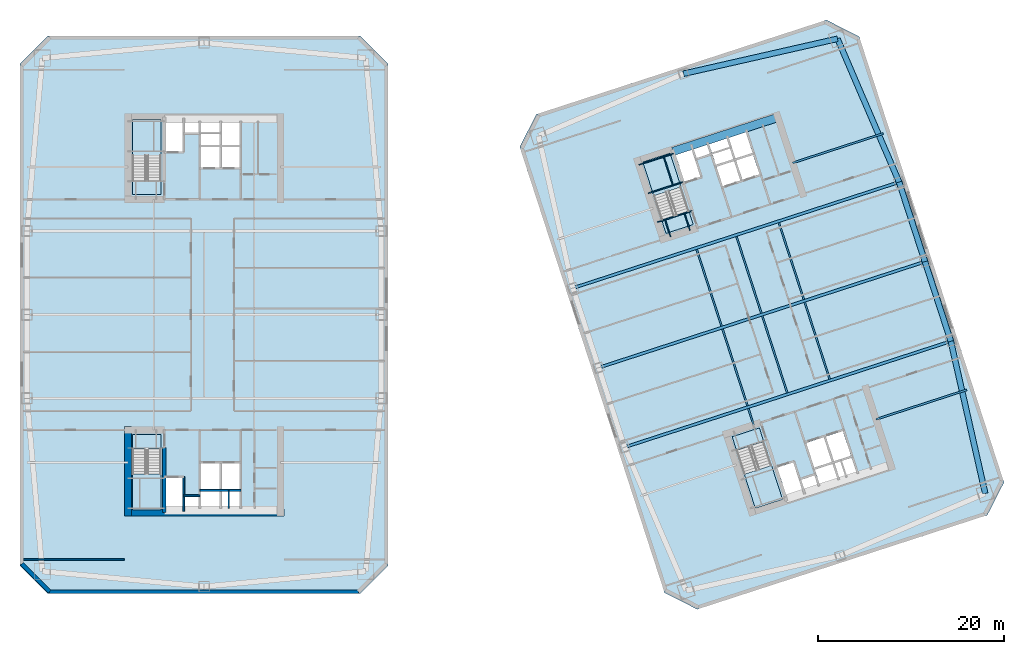
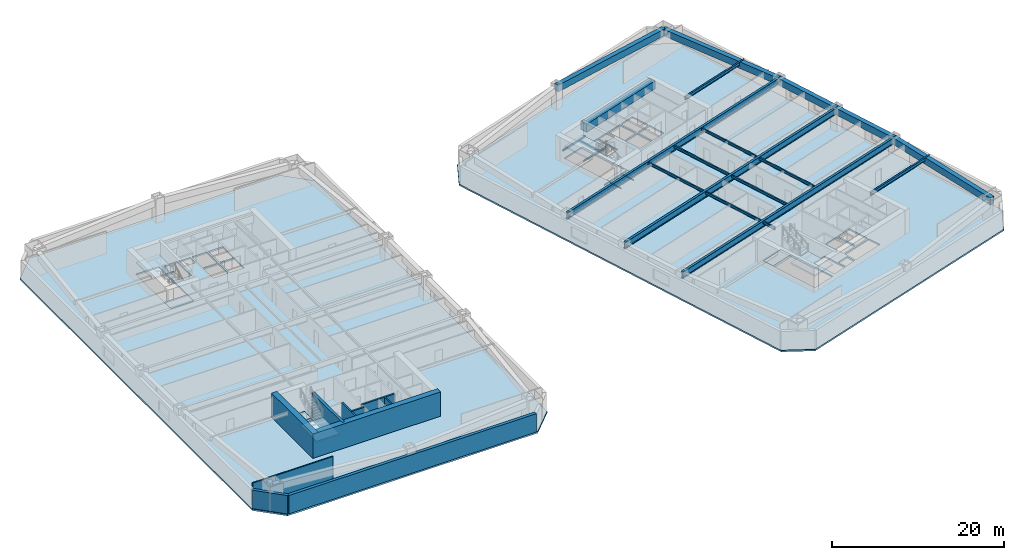
# One storey, part 2 of 11: 24 beams, 10 slabs, 10 walls, 4 elements without a shape of their own.
"""IFC4 building model written with IfcOpenShell, lengths in metres."""

import ifcopenshell
import ifcopenshell.guid

model = None  # the IFC model being written
_history = None  # IfcOwnerHistory: only IFC2X3 demands one
_inside = {}  # id of a spatial element -> (the spatial element, [elements in it])
_under = {}  # id of a project, library or spatial element -> (it, [spatial elements below it])
_declared = {}  # id of a project -> (the project, [libraries it declares])
_typed = {}  # id of a type object -> (the type object, [elements of that type])
_made_of = {}  # id of a material, layer set ... -> (it, [elements and type objects made of it])


def new_model(schema):
    """Start an empty IFC model of exactly this schema.

    Asked for "IFC4X3", IfcOpenShell would pick the latest addendum, in which some entities
    have other attributes; the version numbers below select the first issue.
    IFC2X3 requires an IfcOwnerHistory on every rooted entity: one is made here for all.
    """
    global model, _history
    if schema == "IFC4X3":
        model = ifcopenshell.file(schema_version=(4, 3, 0, 0))
    else:
        model = ifcopenshell.file(schema=schema)
    _inside.clear()
    _under.clear()
    _declared.clear()
    _typed.clear()
    _made_of.clear()
    _history = None
    if model.schema == "IFC2X3":
        org = make("IfcOrganization", Name="unknown")
        user = make(
            "IfcPersonAndOrganization",
            ThePerson=make("IfcPerson", FamilyName="unknown"),
            TheOrganization=org,
        )
        app = make(
            "IfcApplication",
            ApplicationDeveloper=org,
            Version="unknown",
            ApplicationFullName="unknown",
            ApplicationIdentifier="unknown",
        )
        _history = make(
            "IfcOwnerHistory",
            OwningUser=user,
            OwningApplication=app,
            ChangeAction="ADDED",
            CreationDate=0,
        )
    return model


def make(cls, **values):
    """One entity of the class cls with the attributes given. An attribute that is None is left unset."""
    return model.create_entity(
        cls, **{name: value for name, value in values.items() if value is not None}
    )


def rooted(cls, **values):
    """An entity with a GlobalId (a new one), such as an element, a storey or a relation."""
    return make(cls, GlobalId=ifcopenshell.guid.new(), OwnerHistory=_history, **values)


def si_unit(unit_type, name, prefix=None):
    """IfcSIUnit, for example si_unit("LENGTHUNIT", "METRE", prefix="MILLI")."""
    return make("IfcSIUnit", UnitType=unit_type, Prefix=prefix, Name=name)


def assignment(units):
    """IfcUnitAssignment: the units of a project."""
    return None if units is None else make("IfcUnitAssignment", Units=units)


def point(xyz):
    """IfcCartesianPoint."""
    return None if xyz is None else make("IfcCartesianPoint", Coordinates=xyz)


def direction(xyz):
    """IfcDirection."""
    return None if xyz is None else make("IfcDirection", DirectionRatios=xyz)


def frame(location, z_axis=None, x_axis=None):
    """IfcAxis2Placement3D, a coordinate frame: its origin and axes. An axis left out is left unset."""
    return make(
        "IfcAxis2Placement3D",
        Location=point(location),
        Axis=direction(z_axis),
        RefDirection=direction(x_axis),
    )


def frame_2d(location, x_axis=None):
    """IfcAxis2Placement2D, a coordinate frame in the plane: its origin and x axis."""
    return make(
        "IfcAxis2Placement2D", Location=point(location), RefDirection=direction(x_axis)
    )


def origin():
    """The frame at (0, 0, 0) with its axes left unset."""
    return frame((0.0, 0.0, 0.0))


def origin_2d():
    """The frame at (0, 0) in the plane with its x axis left unset."""
    return frame_2d((0.0, 0.0))


def place(relative_to, where):
    """IfcLocalPlacement: puts the frame where relative to a parent placement (None: the world)."""
    return make(
        "IfcLocalPlacement", PlacementRelTo=relative_to, RelativePlacement=where
    )


def context(
    kind, dimensions, precision=None, world=None, true_north=None, identifier=None
):
    """IfcGeometricRepresentationContext, for example the 3D "Model" context."""
    return make(
        "IfcGeometricRepresentationContext",
        ContextIdentifier=identifier,
        ContextType=kind,
        CoordinateSpaceDimension=dimensions,
        Precision=precision,
        WorldCoordinateSystem=world,
        TrueNorth=true_north,
    )


def subcontext(parent, identifier, kind, view, scale=None):
    """IfcGeometricRepresentationSubContext, for example "Body" below "Model"."""
    return make(
        "IfcGeometricRepresentationSubContext",
        ContextIdentifier=identifier,
        ContextType=kind,
        ParentContext=parent,
        TargetScale=scale,
        TargetView=view,
    )


def project(units=None, contexts=None):
    """IfcProject with its units and contexts."""
    return rooted(
        "IfcProject",
        Name="project",
        RepresentationContexts=contexts,
        UnitsInContext=assignment(units),
    )


def spatial(cls, under=None, at=None, **own):
    """A site, building, storey or space (cls), placed at a placement, below another one or the project."""
    s = rooted(cls, ObjectPlacement=at, **own)
    if under is not None:
        _under.setdefault(under.id(), (under, []))[1].append(s)
    return s


def polyline(points):
    """IfcPolyline through the points."""
    return make("IfcPolyline", Points=[point(p) for p in points])


def profile(cls, at=None, kind="AREA", **sizes):
    """A parametric profile (cls). Its sizes go by their IFC names, for example OverallWidth=200.0."""
    return make(cls, ProfileType=kind, Position=at, **sizes)


def rectangle(**sizes):
    """IfcRectangleProfileDef."""
    return profile("IfcRectangleProfileDef", **sizes)


def i_section(**sizes):
    """IfcIShapeProfileDef."""
    return profile("IfcIShapeProfileDef", **sizes)


def outline(outer, holes=None, kind="AREA"):
    """IfcArbitraryClosedProfileDef: a profile drawn as a closed curve; with holes, ...WithVoids."""
    if holes is None:
        return make("IfcArbitraryClosedProfileDef", ProfileType=kind, OuterCurve=outer)
    return make(
        "IfcArbitraryProfileDefWithVoids",
        ProfileType=kind,
        OuterCurve=outer,
        InnerCurves=holes,
    )


def extrude(swept, where, along, depth):
    """IfcExtrudedAreaSolid: the profile swept, set in the frame where, extruded along a direction by depth."""
    return make(
        "IfcExtrudedAreaSolid",
        SweptArea=swept,
        Position=where,
        ExtrudedDirection=direction(along),
        Depth=depth,
    )


def shape(context_of_items, identifier, shape_type, items):
    """IfcShapeRepresentation: the items that make up one representation, for example the "Body"."""
    return make(
        "IfcShapeRepresentation",
        ContextOfItems=context_of_items,
        RepresentationIdentifier=identifier,
        RepresentationType=shape_type,
        Items=items,
    )


def material(Name=None, Category=None):
    """IfcMaterial."""
    return make("IfcMaterial", Name=Name, Category=Category)


def layer(
    of_material, thickness, ventilated=None, Name=None, Category=None, Priority=None
):
    """IfcMaterialLayer: one layer of a wall or slab, of a material (None: an air gap)."""
    return make(
        "IfcMaterialLayer",
        Material=of_material,
        LayerThickness=thickness,
        IsVentilated=ventilated,
        Name=Name,
        Category=Category,
        Priority=Priority,
    )


def layer_set(layers, Name=None):
    """IfcMaterialLayerSet."""
    return make("IfcMaterialLayerSet", MaterialLayers=layers, LayerSetName=Name)


def material_profile(
    of_material, cross_section, Name=None, Category=None, Priority=None
):
    """IfcMaterialProfile: a cross section and its material."""
    return make(
        "IfcMaterialProfile",
        Name=Name,
        Material=of_material,
        Profile=cross_section,
        Priority=Priority,
        Category=Category,
    )


def profile_set(profiles, Name=None, composite=None):
    """IfcMaterialProfileSet."""
    return make(
        "IfcMaterialProfileSet",
        Name=Name,
        MaterialProfiles=profiles,
        CompositeProfile=composite,
    )


def made_of(thing, what):
    """Note that an element or type object is made of a material, layer set ...; save() writes the relation."""
    if what is not None:
        _made_of.setdefault(what.id(), (what, []))[1].append(thing)
    return thing


def type_object(cls, material=None, **own):
    """A type object (cls), such as IfcWallType, which elements share."""
    return made_of(rooted(cls, **own), material)


def element(
    cls,
    number,
    at=None,
    inside=None,
    cuts=None,
    type_object=None,
    material=None,
    context=None,
    identifier="Body",
    shape_type=None,
    held_by="IfcProductDefinitionShape",
    body=None,
    shapes=None,
    **own,
):
    """One element of the class cls, such as IfcWall. Its Tag is "e" and its number.

    at: its placement. inside: the storey or other place that contains it. cuts: it is an
    opening in that element (IfcRelVoidsElement). A single representation is given by context,
    identifier, shape_type and body (its items); several are given by shapes. held_by: the class
    of the entity that holds the representations. save() writes the other relations.
    """
    e = rooted(cls, Tag="e%d" % number, ObjectPlacement=at, **own)
    if body is not None:
        shapes = [shape(context, identifier, shape_type, body)]
    if shapes is not None:
        e.Representation = make(held_by, Representations=shapes)
    if inside is not None:
        _inside.setdefault(inside.id(), (inside, []))[1].append(e)
    if cuts is not None:
        rooted(
            "IfcRelVoidsElement", RelatingBuildingElement=cuts, RelatedOpeningElement=e
        )
    if type_object is not None:
        _typed.setdefault(type_object.id(), (type_object, []))[1].append(e)
    return made_of(e, material)


def aggregate(whole, parts):
    """IfcRelAggregates: a whole, such as a stair, and the parts it consists of."""
    return rooted("IfcRelAggregates", RelatingObject=whole, RelatedObjects=parts)


def save(model, path):
    """Write the relations noted so far, then the file.

    IfcRelAggregates (storeys below a building ...), IfcRelContainedInSpatialStructure (elements
    in a storey), IfcRelDefinesByType, IfcRelAssociatesMaterial and IfcRelDeclares: one each for
    every whole, place, type object, material and project.
    """
    for whole, parts in _under.values():
        aggregate(whole, parts)
    for where, things in _inside.values():
        rooted(
            "IfcRelContainedInSpatialStructure",
            RelatedElements=things,
            RelatingStructure=where,
        )
    for kind, things in _typed.values():
        rooted("IfcRelDefinesByType", RelatedObjects=things, RelatingType=kind)
    for what, things in _made_of.values():
        rooted("IfcRelAssociatesMaterial", RelatedObjects=things, RelatingMaterial=what)
    for by, libraries in _declared.values():
        rooted("IfcRelDeclares", RelatingContext=by, RelatedDefinitions=libraries)
    model.write(path)


model = new_model("IFC4")

# Units and contexts
model_context = context("Model", 3, precision=1e-05, world=origin(), true_north=direction((0.0, 1.0)))
body_context = subcontext(model_context, "Body", "Model", "MODEL_VIEW")
ifc_project = project(units=[si_unit("LENGTHUNIT", "METRE"), si_unit("AREAUNIT", "SQUARE_METRE"), si_unit("VOLUMEUNIT", "CUBIC_METRE"), si_unit("PLANEANGLEUNIT", "RADIAN"), si_unit("MASSUNIT", "GRAM", prefix="KILO")], contexts=[model_context])

# Site, building, storey
site_placement = place(None, origin())
site = spatial("IfcSite", under=ifc_project, at=site_placement, CompositionType="ELEMENT")
building_placement = place(site_placement, origin())
building = spatial("IfcBuilding", under=site, at=building_placement, Name="Qiaolan Cultural Towers", CompositionType="ELEMENT")
storey_placement = place(building_placement, frame((0.0, 0.0, 64.39990234375)))
storey = spatial("IfcBuildingStorey", under=building, at=storey_placement, Name="L15", CompositionType="ELEMENT", Elevation=64.39990234375)

# Beams
ifc_material_1 = material(Name="Steel Q355B", Category="steel")
ifc_material_profile_1 = material_profile(ifc_material_1, i_section(OverallWidth=0.300048828125, OverallDepth=0.89990234375, WebThickness=0.01611328125, FlangeThickness=0.028076171875, at=origin_2d()), Name="HN900x300x16x28")
ifc_profile_set_1 = profile_set([ifc_material_profile_1], Name="Steel Q355B")
beam_type_1 = type_object("IfcBeamType", Name="BM-HN900x300x16x28", PredefinedType="BEAM", material=ifc_profile_set_1)
beam_1_placement = place(storey_placement, frame((75.234130859375, 19.739013671875, 2.739990234375), z_axis=(0.951055702987, 0.309019497469, 0.0), x_axis=(-0.309019497469, 0.951055702987, 0.0)))
element("IfcBeam", 1, at=beam_1_placement, inside=storey, type_object=beam_type_1, Name="L15 T2 Primary Transverse Girder V1", PredefinedType="BEAM", context=body_context, shape_type="SweptSolid", body=[
    extrude(i_section(OverallWidth=0.300048828125, OverallDepth=0.89990234375, WebThickness=0.01611328125, FlangeThickness=0.028076171875, at=origin_2d()), origin(), (0.0, 0.0, 1.0), 36.900146484375),
])
beam_2_placement = place(storey_placement, frame((72.453125, 28.298583984375, 2.739990234375), z_axis=(0.951055071173, 0.309021441968, 0.0), x_axis=(-0.309021441968, 0.951055071173, 0.0)))
element("IfcBeam", 2, at=beam_2_placement, inside=storey, type_object=beam_type_1, Name="L15 T2 Primary Transverse Girder V2", PredefinedType="BEAM", context=body_context, shape_type="SweptSolid", body=[
    extrude(i_section(OverallWidth=0.300048828125, OverallDepth=0.89990234375, WebThickness=0.01611328125, FlangeThickness=0.028076171875, at=origin_2d()), origin(), (0.0, 0.0, 1.0), 36.89990234375),
])
beam_3_placement = place(storey_placement, frame((69.671875, 36.858154296875, 2.739990234375), z_axis=(0.951055702987, 0.309019497469, 0.0), x_axis=(-0.309019497469, 0.951055702987, 0.0)))
element("IfcBeam", 3, at=beam_3_placement, inside=storey, type_object=beam_type_1, Name="L15 T2 Primary Transverse Girder V3", PredefinedType="BEAM", context=body_context, shape_type="SweptSolid", body=[
    extrude(i_section(OverallWidth=0.300048828125, OverallDepth=0.89990234375, WebThickness=0.01611328125, FlangeThickness=0.028076171875, at=origin_2d()), origin(), (0.0, 0.0, 1.0), 36.900146484375),
])
ifc_material_2 = material(Name="Steel Q355B", Category="steel")
ifc_material_profile_2 = material_profile(ifc_material_2, i_section(OverallWidth=0.175048828125, OverallDepth=0.35009765625, WebThickness=0.007080078125, FlangeThickness=0.010986328125, at=origin_2d()), Name="HN350x175x7x11")
ifc_profile_set_2 = profile_set([ifc_material_profile_2], Name="Steel Q355B")
beam_type_2 = type_object("IfcBeamType", Name="BM-JST-HN350x175x7x11", PredefinedType="JOIST", material=ifc_profile_set_2)
beam_4_placement = place(storey_placement, frame((89.119384765625, 22.147705078125, 3.01513671875), z_axis=(-0.308933885266, 0.951083516067, 0.0), x_axis=(-0.951083516067, -0.308933885266, 0.0)))
element("IfcBeam", 4, at=beam_4_placement, inside=storey, type_object=beam_type_2, Name="L15 T2 Secondary Floor Joist U1-1", PredefinedType="JOIST", context=body_context, shape_type="SweptSolid", body=[
    extrude(i_section(OverallWidth=0.175048828125, OverallDepth=0.35009765625, WebThickness=0.007080078125, FlangeThickness=0.010986328125, at=origin_2d()), origin(), (0.0, 0.0, 1.0), 1.85009765625),
])
for number, where, z_axis, x_axis, name in (
    (5, (88.455078125, 24.192626953125, 3.01513671875), (-0.309020714809, 0.951055307445, 0.0), (-0.951055307445, -0.309020714809, 0.0), "L15 T2 Secondary Floor Joist U1-2"),
    (6, (85.673828125, 32.752197265625, 3.01513671875), (-0.309020714809, 0.951055307445, 0.0), (-0.951055307445, -0.309020714809, 0.0), "L15 T2 Secondary Floor Joist U1-3"),
    (7, (92.73486328125, 25.583251953125, 3.01513671875), (-0.309020714809, 0.951055307445, 0.0), (-0.951055307445, -0.309020714809, 0.0), "L15 T2 Secondary Floor Joist U2-2"),
    (8, (89.95361328125, 34.142578125, 3.01513671875), (-0.309020714809, 0.951055307445, 0.0), (-0.951055307445, -0.309020714809, 0.0), "L15 T2 Secondary Floor Joist U2-3"),
    (9, (97.2998046875, 27.06640625, 3.01513671875), (-0.309020714809, 0.951055307445, 0.0), (-0.951055307445, -0.309020714809, 0.0), "L15 T2 Secondary Floor Joist U3-2"),
    (10, (94.518798828125, 35.6259765625, 3.01513671875), (-0.309020714809, 0.951055307445, 0.0), (-0.951055307445, -0.309020714809, 0.0), "L15 T2 Secondary Floor Joist U3-3"),
):
    element("IfcBeam", number, at=place(storey_placement, frame(where, z_axis=z_axis, x_axis=x_axis)), inside=storey, type_object=beam_type_2, Name=name, PredefinedType="JOIST", context=body_context, shape_type="SweptSolid", body=[
        extrude(i_section(OverallWidth=0.175048828125, OverallDepth=0.35009765625, WebThickness=0.007080078125, FlangeThickness=0.010986328125, at=origin_2d()), origin(), (0.0, 0.0, 1.0), 8.699951171875),
    ])
ifc_material_3 = material(Name="Steel Q355B", Category="steel")
ifc_material_profile_3 = material_profile(ifc_material_3, i_section(OverallWidth=0.199951171875, OverallDepth=0.449951171875, WebThickness=0.009033203125, FlangeThickness=0.013916015625, at=origin_2d()), Name="HN450x200x9x14")
ifc_profile_set_3 = profile_set([ifc_material_profile_3], Name="Steel Q355B")
beam_type_3 = type_object("IfcBeamType", Name="BM-LNT-HN450x200x9x14", PredefinedType="LINTEL", material=ifc_profile_set_3)
beam_5_placement = place(storey_placement, frame((102.279296875, 22.74365234375, 2.965087890625), z_axis=(0.951056820587, 0.309016057859, 0.0), x_axis=(-0.309016057859, 0.951056820587, 0.0)))
element("IfcBeam", 11, at=beam_5_placement, inside=storey, type_object=beam_type_3, Name="L15 T2 Core Flank Tie Lintel ES", PredefinedType="LINTEL", context=body_context, shape_type="SweptSolid", body=[
    extrude(i_section(OverallWidth=0.199951171875, OverallDepth=0.449951171875, WebThickness=0.009033203125, FlangeThickness=0.013916015625, at=origin_2d()), origin(), (0.0, 0.0, 1.0), 10.250244140625),
])
beam_6_placement = place(storey_placement, frame((93.31787109375, 50.32421875, 2.965087890625), z_axis=(0.951054546097, 0.309023057955, 0.0), x_axis=(-0.309023057955, 0.951054546097, 0.0)))
element("IfcBeam", 12, at=beam_6_placement, inside=storey, type_object=beam_type_3, Name="L15 T2 Core Flank Tie Lintel EN", PredefinedType="LINTEL", context=body_context, shape_type="SweptSolid", body=[
    extrude(i_section(OverallWidth=0.199951171875, OverallDepth=0.449951171875, WebThickness=0.009033203125, FlangeThickness=0.013916015625, at=origin_2d()), origin(), (0.0, 0.0, 1.0), 10.25),
])
ifc_material_4 = material(Name="Concrete C50", Category="concrete")
ifc_material_profile_4 = material_profile(ifc_material_4, rectangle(XDim=0.89990234375, YDim=1.10009765625, at=origin_2d()), Name="RC900x1100")
ifc_profile_set_4 = profile_set([ifc_material_profile_4], Name="Concrete C50")
beam_type_4 = type_object("IfcBeamType", Name="BM-RC900x1100", PredefinedType="BEAM", material=ifc_profile_set_4)
beam_7_placement = place(storey_placement, frame((80.427978515625, 51.551025390625, 2.64013671875), z_axis=(0.951056266386, 0.309017763514, 0.0), x_axis=(-0.309017763514, 0.951056266386, 0.0)))
element("IfcBeam", 13, at=beam_7_placement, inside=storey, type_object=beam_type_4, Name="L15 T2 Core Header Girder N", PredefinedType="BEAM", context=body_context, shape_type="SweptSolid", body=[
    extrude(rectangle(XDim=0.89990234375, YDim=1.10009765625, at=origin_2d()), origin(), (0.0, 0.0, 1.0), 11.880126953125),
])
ifc_material_5 = material(Name="Concrete C50", Category="concrete")
ifc_material_profile_5 = material_profile(ifc_material_5, rectangle(XDim=0.60009765625, YDim=0.949951171875, at=origin_2d()), Name="RC600x950")
ifc_profile_set_5 = profile_set([ifc_material_profile_5], Name="Concrete C50")
beam_type_5 = type_object("IfcBeamType", Name="BM-SPD-RC600x950", PredefinedType="SPANDREL", material=ifc_profile_set_5)
beam_8_placement = place(storey_placement, frame((114.027099609375, 14.77392578125, 2.715087890625), z_axis=(-0.220430557386, 0.975402670373, 0.0), x_axis=(-0.975402670373, -0.220430557386, 0.0)))
element("IfcBeam", 14, at=beam_8_placement, inside=storey, type_object=beam_type_5, Name="L15 T2 Perimeter Spandrel Beam 3", PredefinedType="SPANDREL", context=body_context, shape_type="SweptSolid", body=[
    extrude(rectangle(XDim=0.60009765625, YDim=0.949951171875, at=origin_2d()), origin(), (0.0, 0.0, 1.0), 16.78076171875),
])
for number, where, z_axis, x_axis, name in (
    (15, (110.328125, 31.141845703125, 2.715087890625), (-0.309024734286, 0.951054001411, 0.0), (-0.951054001411, -0.309024734286, 0.0), "L15 T2 Perimeter Spandrel Beam 4"),
    (16, (107.546875, 39.701416015625, 2.715087890625), (-0.309000197986, 0.951061973609, 0.0), (-0.951061973609, -0.309000197986, 0.0), "L15 T2 Perimeter Spandrel Beam 5"),
):
    element("IfcBeam", number, at=place(storey_placement, frame(where, z_axis=z_axis, x_axis=x_axis)), inside=storey, type_object=beam_type_5, Name=name, PredefinedType="SPANDREL", context=body_context, shape_type="SweptSolid", body=[
        extrude(rectangle(XDim=0.60009765625, YDim=0.949951171875, at=origin_2d()), origin(), (0.0, 0.0, 1.0), 9.0),
    ])
beam_9_placement = place(storey_placement, frame((104.765869140625, 48.260986328125, 2.715087890625), z_axis=(-0.394998896054, 0.918681594524, 0.0), x_axis=(-0.918681594524, -0.394998896054, 0.0)))
element("IfcBeam", 17, at=beam_9_placement, inside=storey, type_object=beam_type_5, Name="L15 T2 Perimeter Spandrel Beam 6", PredefinedType="SPANDREL", context=body_context, shape_type="SweptSolid", body=[
    extrude(rectangle(XDim=0.60009765625, YDim=0.949951171875, at=origin_2d()), origin(), (0.0, 0.0, 1.0), 16.78076171875),
])
beam_10_placement = place(storey_placement, frame((98.137451171875, 63.67724609375, 2.715087890625), z_axis=(-0.975161095889, -0.221496810506, 0.0), x_axis=(0.221496810506, -0.975161095889, 0.0)))
element("IfcBeam", 18, at=beam_10_placement, inside=storey, type_object=beam_type_5, Name="L15 T2 Perimeter Spandrel Beam 7", PredefinedType="SPANDREL", context=body_context, shape_type="SweptSolid", body=[
    extrude(rectangle(XDim=0.60009765625, YDim=0.949951171875, at=origin_2d()), origin(), (0.0, 0.0, 1.0), 16.97998046875),
])
ifc_material_6 = material(Name="Steel Q355B", Category="steel")
ifc_material_profile_6 = material_profile(ifc_material_6, i_section(OverallWidth=0.10009765625, OverallDepth=0.199951171875, WebThickness=0.005615234375, FlangeThickness=0.008056640625, at=origin_2d()), Name="HN200x100x5.5x8")
ifc_profile_set_6 = profile_set([ifc_material_profile_6], Name="Steel Q355B")
beam_type_6 = type_object("IfcBeamType", Name="BM-STTRIM-200", PredefinedType="BEAM", material=ifc_profile_set_6)
beam_11_placement = place(storey_placement, frame((78.773193359375, 43.958251953125, -0.4599609375), z_axis=(0.951072048947, 0.3089691857, 0.0), x_axis=(-0.3089691857, 0.951072048947, 0.0)))
element("IfcBeam", 19, at=beam_11_placement, inside=storey, type_object=beam_type_6, Name="L15 ST-E2 Floor Landing Header Beam", PredefinedType="BEAM", context=body_context, shape_type="SweptSolid", body=[
    extrude(i_section(OverallWidth=0.10009765625, OverallDepth=0.199951171875, WebThickness=0.005615234375, FlangeThickness=0.008056640625, at=origin_2d()), origin(), (0.0, 0.0, 1.0), 3.920166015625),
])
for number, where, z_axis, x_axis, name in (
    (20, (80.18115234375, 42.375732421875, -0.4599609375), (-0.308969394428, 0.951071981138, 0.0), (-0.951071981138, -0.308969394428, 0.0), "L15 ST-E2 Floor Landing Stringer 1"),
    (21, (82.2734375, 43.0556640625, -0.4599609375), (-0.308969394428, 0.951071981138, 0.0), (-0.951071981138, -0.308969394428, 0.0), "L15 ST-E2 Floor Landing Stringer 2"),
):
    element("IfcBeam", number, at=place(storey_placement, frame(where, z_axis=z_axis, x_axis=x_axis)), inside=storey, type_object=beam_type_6, Name=name, PredefinedType="BEAM", context=body_context, shape_type="SweptSolid", body=[
        extrude(i_section(OverallWidth=0.10009765625, OverallDepth=0.199951171875, WebThickness=0.005615234375, FlangeThickness=0.008056640625, at=origin_2d()), origin(), (0.0, 0.0, 1.0), 1.93994140625),
    ])
for number, where, z_axis, x_axis, name in (
    (22, (77.769287109375, 47.0478515625, 1.425048828125), (0.951053746643, 0.309025518358, 0.0), (-0.309025518358, 0.951053746643, 0.0), "L15 ST-E2 Stair Landing Support Beam 1-1"),
    (23, (76.770751953125, 50.12109375, 1.425048828125), (0.951072048947, 0.3089691857, 0.0), (-0.3089691857, 0.951072048947, 0.0), "L15 ST-E2 Stair Landing Support Beam 1-2"),
):
    element("IfcBeam", number, at=place(storey_placement, frame(where, z_axis=z_axis, x_axis=x_axis)), inside=storey, type_object=beam_type_6, Name=name, PredefinedType="BEAM", context=body_context, shape_type="SweptSolid", body=[
        extrude(i_section(OverallWidth=0.10009765625, OverallDepth=0.199951171875, WebThickness=0.005615234375, FlangeThickness=0.008056640625, at=origin_2d()), origin(), (0.0, 0.0, 1.0), 3.920166015625),
    ])
beam_12_placement = place(storey_placement, frame((80.44189453125, 47.916259765625, 1.425048828125), z_axis=(-0.309033108495, 0.951051280349, 0.0), x_axis=(-0.951051280349, -0.309033108495, 0.0)))
element("IfcBeam", 24, at=beam_12_placement, inside=storey, type_object=beam_type_6, Name="L15 ST-E2 Stair Landing Trimmer 1", PredefinedType="BEAM", context=body_context, shape_type="SweptSolid", body=[
    extrude(i_section(OverallWidth=0.10009765625, OverallDepth=0.199951171875, WebThickness=0.005615234375, FlangeThickness=0.008056640625, at=origin_2d()), origin(), (0.0, 0.0, 1.0), 3.231201171875),
])

# Stair, slab
ifc_material_7 = material(Name="Concrete C45", Category="concrete")
stair_type = type_object("IfcStairType", Name="STR-CORE-1500", PredefinedType="HALF_TURN_STAIR", material=ifc_material_7)
stair_1_placement = place(storey_placement, origin())
stair_1 = element("IfcStair", 25, at=stair_1_placement, inside=storey, type_object=stair_type, Name="L15 Smokeproof Exit Stair ST-W1", PredefinedType="HALF_TURN_STAIR")
ifc_material_8 = material(Name="Concrete C45", Category="concrete")
ifc_layer_1 = layer(ifc_material_8, 0.199951171875)
ifc_layer_set_1 = layer_set([ifc_layer_1], Name="Concrete C45")
slab_type_1 = type_object("IfcSlabType", Name="SL-STAIR-LAND", PredefinedType="LANDING", material=ifc_layer_set_1)
slab_1_placement = place(storey_placement, frame((0.0, 0.0, 1.525146484375)))
slab_1 = element("IfcSlab", 26, at=slab_1_placement, type_object=slab_type_1, Name="ST-W1 landing 1", PredefinedType="LANDING", context=body_context, shape_type="SweptSolid", body=[
    extrude(outline(polyline([(22.300048828125, 16.851318359375), (22.300048828125, 13.0), (25.3798828125, 13.0), (25.3798828125, 16.851318359375), (22.300048828125, 16.851318359375)])), origin(), (0.0, 0.0, 1.0), 0.199951171875),
])
aggregate(stair_1, [slab_1])

stair_2_placement = place(storey_placement, origin())
stair_2 = element("IfcStair", 27, at=stair_2_placement, inside=storey, type_object=stair_type, Name="L15 Smokeproof Exit Stair ST-W2", PredefinedType="HALF_TURN_STAIR")
slab_2_placement = place(storey_placement, frame((0.0, 0.0, 1.525146484375)))
slab_2 = element("IfcSlab", 28, at=slab_2_placement, type_object=slab_type_1, Name="ST-W2 landing 1", PredefinedType="LANDING", context=body_context, shape_type="SweptSolid", body=[
    extrude(outline(polyline([(25.3798828125, 51.148681640625), (25.3798828125, 55.0), (22.300048828125, 55.0), (22.300048828125, 51.148681640625), (25.3798828125, 51.148681640625)])), origin(), (0.0, 0.0, 1.0), 0.199951171875),
])
aggregate(stair_2, [slab_2])

stair_3_placement = place(storey_placement, origin())
stair_3 = element("IfcStair", 29, at=stair_3_placement, inside=storey, type_object=stair_type, Name="L15 Smokeproof Exit Stair ST-E1", PredefinedType="HALF_TURN_STAIR")
slab_3_placement = place(storey_placement, frame((0.0, 0.0, 1.525146484375)))
slab_3 = element("IfcSlab", 30, at=slab_3_placement, type_object=slab_type_1, Name="ST-E1 landing 1", PredefinedType="LANDING", context=body_context, shape_type="SweptSolid", body=[
    extrude(outline(polyline([(88.114013671875, 16.828125), (89.30419921875, 13.165283203125), (92.2333984375, 14.116943359375), (91.04345703125, 17.77978515625), (88.114013671875, 16.828125)])), origin(), (0.0, 0.0, 1.0), 0.199951171875),
])
aggregate(stair_3, [slab_3])

stair_4_placement = place(storey_placement, origin())
stair_4 = element("IfcStair", 31, at=stair_4_placement, inside=storey, type_object=stair_type, Name="L15 Smokeproof Exit Stair ST-E2", PredefinedType="HALF_TURN_STAIR")
slab_4_placement = place(storey_placement, frame((0.0, 0.0, 1.525146484375)))
slab_4 = element("IfcSlab", 32, at=slab_4_placement, type_object=slab_type_1, Name="ST-E2 landing 1", PredefinedType="LANDING", context=body_context, shape_type="SweptSolid", body=[
    extrude(outline(polyline([(81.31005859375, 47.735595703125), (80.1201171875, 51.3984375), (77.190673828125, 50.44677734375), (78.380859375, 46.783935546875), (81.31005859375, 47.735595703125)])), origin(), (0.0, 0.0, 1.0), 0.199951171875),
])
aggregate(stair_4, [slab_4])

# Slabs
ifc_material_9 = material(Name="Concrete C40", Category="concrete")
ifc_layer_2 = layer(ifc_material_9, 0.360107421875)
ifc_layer_set_2 = layer_set([ifc_layer_2], Name="Concrete C40")
slab_type_2 = type_object("IfcSlabType", Name="SL-STFLR-360", PredefinedType="LANDING", material=ifc_layer_set_2)
slab_5_placement = place(storey_placement, frame((0.0, 0.0, -0.35986328125)))
element("IfcSlab", 33, at=slab_5_placement, inside=storey, type_object=slab_type_2, Name="L15 ST-W1 Stair Floor Landing Slab", PredefinedType="LANDING", context=body_context, shape_type="SweptSolid", body=[
    extrude(outline(polyline([(22.302001953125, 21.097900390625), (22.302001953125, 19.548583984375), (25.3779296875, 19.548583984375), (25.3779296875, 21.097900390625), (22.302001953125, 21.097900390625)])), origin(), (0.0, 0.0, 1.0), 0.35986328125),
])
slab_6_placement = place(storey_placement, frame((0.0, 0.0, -0.35986328125)))
element("IfcSlab", 34, at=slab_6_placement, inside=storey, type_object=slab_type_2, Name="L15 ST-W2 Stair Floor Landing Slab", PredefinedType="LANDING", context=body_context, shape_type="SweptSolid", body=[
    extrude(outline(polyline([(25.3779296875, 46.902099609375), (25.3779296875, 48.451416015625), (22.302001953125, 48.451416015625), (22.302001953125, 46.902099609375), (25.3779296875, 46.902099609375)])), origin(), (0.0, 0.0, 1.0), 0.35986328125),
])
slab_7_placement = place(storey_placement, frame((0.0, 0.0, -0.35986328125)))
element("IfcSlab", 35, at=slab_7_placement, inside=storey, type_object=slab_type_2, Name="L15 ST-E1 Stair Floor Landing Slab", PredefinedType="LANDING", context=body_context, shape_type="SweptSolid", body=[
    extrude(outline(polyline([(86.8037109375, 20.867431640625), (87.282470703125, 19.39404296875), (90.2080078125, 20.3447265625), (89.729248046875, 21.818115234375), (86.8037109375, 20.867431640625)])), origin(), (0.0, 0.0, 1.0), 0.35986328125),
])
slab_8_placement = place(storey_placement, frame((0.0, 0.0, -0.35986328125)))
element("IfcSlab", 36, at=slab_8_placement, inside=storey, type_object=slab_type_2, Name="L15 ST-E2 Stair Floor Landing Slab", PredefinedType="LANDING", context=body_context, shape_type="SweptSolid", body=[
    extrude(outline(polyline([(82.62060546875, 43.6962890625), (82.141845703125, 45.169677734375), (79.21630859375, 44.21923828125), (79.695068359375, 42.74560546875), (82.62060546875, 43.6962890625)])), origin(), (0.0, 0.0, 1.0), 0.35986328125),
])
ifc_material_10 = material(Name="Concrete C45", Category="concrete")
ifc_layer_3 = layer(ifc_material_10, 0.219970703125)
ifc_layer_set_3 = layer_set([ifc_layer_3], Name="Concrete C45")
slab_type_3 = type_object("IfcSlabType", Name="SL-TYP-220", PredefinedType="FLOOR", material=ifc_layer_set_3)
slab_9_placement = place(storey_placement, frame((0.0, 0.0, -0.219970703125)))
element("IfcSlab", 37, at=slab_9_placement, inside=storey, type_object=slab_type_3, Name="L15 West Tower Floor Slab", PredefinedType="FLOOR", context=body_context, shape_type="SweptSolid", body=[
    extrude(outline(polyline([(13.199951171875, 4.0), (46.800048828125, 4.0), (49.800048828125, 7.0), (49.800048828125, 61.0), (46.800048828125, 64.0), (13.199951171875, 64.0), (10.199951171875, 61.0), (10.199951171875, 7.0), (13.199951171875, 4.0)]), holes=[polyline([(22.300048828125, 21.10009765625), (22.300048828125, 13.0), (25.3798828125, 13.0), (25.3798828125, 21.10009765625), (22.300048828125, 21.10009765625)]), polyline([(25.3798828125, 46.89990234375), (25.3798828125, 55.0), (22.300048828125, 55.0), (22.300048828125, 46.89990234375), (25.3798828125, 46.89990234375)]), polyline([(25.89990234375, 13.199951171875), (27.75, 13.199951171875), (27.75, 16.449951171875), (25.89990234375, 16.449951171875), (25.89990234375, 13.199951171875)]), polyline([(27.93994140625, 13.25), (29.449951171875, 13.25), (29.449951171875, 14.419921875), (27.93994140625, 14.419921875), (27.93994140625, 13.25)]), polyline([(29.679931640625, 15.199951171875), (31.679931640625, 15.199951171875), (31.679931640625, 18.0), (29.679931640625, 18.0), (29.679931640625, 15.199951171875)]), polyline([(31.8798828125, 15.199951171875), (33.820068359375, 15.199951171875), (33.820068359375, 18.0), (31.8798828125, 18.0), (31.8798828125, 15.199951171875)]), polyline([(29.679931640625, 13.25), (33.820068359375, 13.25), (33.820068359375, 14.97998046875), (29.679931640625, 14.97998046875), (29.679931640625, 13.25)]), polyline([(25.89990234375, 51.550048828125), (27.75, 51.550048828125), (27.75, 54.800048828125), (25.89990234375, 54.800048828125), (25.89990234375, 51.550048828125)]), polyline([(27.93994140625, 53.580078125), (29.449951171875, 53.580078125), (29.449951171875, 54.75), (27.93994140625, 54.75), (27.93994140625, 53.580078125)]), polyline([(29.679931640625, 49.820068359375), (31.679931640625, 49.820068359375), (31.679931640625, 52.080078125), (29.679931640625, 52.080078125), (29.679931640625, 49.820068359375)]), polyline([(31.8798828125, 49.820068359375), (33.820068359375, 49.820068359375), (33.820068359375, 52.080078125), (31.8798828125, 52.080078125), (31.8798828125, 49.820068359375)]), polyline([(29.679931640625, 52.27001953125), (31.659912109375, 52.27001953125), (31.659912109375, 54.75), (29.679931640625, 54.75), (29.679931640625, 52.27001953125)]), polyline([(31.8798828125, 52.27001953125), (33.820068359375, 52.27001953125), (33.820068359375, 54.75), (31.8798828125, 54.75), (31.8798828125, 52.27001953125)])]), origin(), (0.0, 0.0, 1.0), 0.219970703125),
])
slab_10_placement = place(storey_placement, frame((0.0, 0.0, -0.219970703125)))
element("IfcSlab", 38, at=slab_10_placement, inside=storey, type_object=slab_type_3, Name="L15 East Tower Floor Slab", PredefinedType="FLOOR", context=body_context, shape_type="SweptSolid", body=[
    extrude(outline(polyline([(83.05517578125, 2.302490234375), (114.249755859375, 12.438232421875), (116.047607421875, 15.966552734375), (100.47314453125, 63.899658203125), (96.94482421875, 65.697509765625), (65.750244140625, 55.561767578125), (63.952392578125, 52.033447265625), (79.52685546875, 4.100341796875), (83.05517578125, 2.302490234375)]), holes=[polyline([(86.80126953125, 20.868896484375), (89.30419921875, 13.165283203125), (92.2333984375, 14.116943359375), (89.73046875, 21.820556640625), (86.80126953125, 20.868896484375)]), polyline([(82.623046875, 43.69482421875), (80.1201171875, 51.3984375), (77.190673828125, 50.44677734375), (79.69384765625, 42.7431640625), (82.623046875, 43.69482421875)]), polyline([(92.666259765625, 14.468017578125), (94.42578125, 15.03955078125), (93.42138671875, 18.130615234375), (91.661865234375, 17.558837890625), (92.666259765625, 14.468017578125)]), polyline([(94.5908203125, 15.14599609375), (96.027099609375, 15.612548828125), (95.66552734375, 16.725341796875), (94.2294921875, 16.258544921875), (94.5908203125, 15.14599609375)]), polyline([(95.643310546875, 17.5380859375), (97.54541015625, 18.15625), (96.68017578125, 20.819091796875), (94.77783203125, 20.201171875), (95.643310546875, 17.5380859375)]), polyline([(97.735595703125, 18.218017578125), (99.58056640625, 18.8173828125), (98.71533203125, 21.48046875), (96.870361328125, 20.880859375), (97.735595703125, 18.218017578125)]), polyline([(96.245849609375, 15.68359375), (100.18310546875, 16.962890625), (99.6484375, 18.608154296875), (95.711181640625, 17.328857421875), (96.245849609375, 15.68359375)]), polyline([(81.6806640625, 48.278076171875), (83.440185546875, 48.849609375), (82.435791015625, 51.940673828125), (80.67626953125, 51.368896484375), (81.6806640625, 48.278076171875)]), polyline([(82.993408203125, 50.839111328125), (84.4296875, 51.3056640625), (84.068115234375, 52.41845703125), (82.632080078125, 51.95166015625), (82.993408203125, 50.839111328125)]), polyline([(85.810302734375, 47.80078125), (87.71240234375, 48.418701171875), (87.013916015625, 50.568115234375), (85.11181640625, 49.9501953125), (85.810302734375, 47.80078125)]), polyline([(87.902587890625, 48.480712890625), (89.74755859375, 49.080078125), (89.04931640625, 51.2294921875), (87.2041015625, 50.6298828125), (87.902587890625, 48.480712890625)]), polyline([(85.05322265625, 50.130859375), (86.936279296875, 50.74267578125), (86.169921875, 53.101318359375), (84.286865234375, 52.489501953125), (85.05322265625, 50.130859375)]), polyline([(87.1455078125, 50.810791015625), (88.990478515625, 51.41015625), (88.22412109375, 53.768798828125), (86.379150390625, 53.169189453125), (87.1455078125, 50.810791015625)])]), origin(), (0.0, 0.0, 1.0), 0.219970703125),
])

# Walls
ifc_material_11 = material(Name="Concrete C50", Category="concrete")
ifc_layer_4 = layer(ifc_material_11, 0.35009765625)
ifc_layer_set_4 = layer_set([ifc_layer_4], Name="Concrete C50")
wall_type_1 = type_object("IfcWallType", Name="WL-CORE-350", PredefinedType="SHEAR", material=ifc_layer_set_4)
wall_1_placement = place(storey_placement, frame((25.719970703125, 19.699951171875, 0.0), z_axis=(0.0, 0.0, 1.0), x_axis=(0.0, -1.0, 0.0)))
element("IfcWall", 39, at=wall_1_placement, inside=storey, type_object=wall_type_1, Name="L15 T1-CS Stair Core Dividing Web", PredefinedType="SHEAR", context=body_context, shape_type="SweptSolid", body=[
    extrude(rectangle(XDim=6.97998046875, YDim=0.35009765625, at=frame_2d((3.489990234375, 0.0))), origin(), (0.0, 0.0, 1.0), 3.4501953125),
])
ifc_material_12 = material(Name="Concrete C60", Category="concrete")
ifc_layer_5 = layer(ifc_material_12, 0.75)
ifc_layer_set_5 = layer_set([ifc_layer_5], Name="Concrete C60")
wall_type_2 = type_object("IfcWallType", Name="WL-CORE-750", PredefinedType="SHEAR", material=ifc_layer_set_5)
wall_2_placement = place(storey_placement, frame((21.425048828125, 12.719970703125, 0.0), z_axis=(0.0, 0.0, 1.0), x_axis=(1.0, 0.0, 0.0)))
element("IfcWall", 40, at=wall_2_placement, inside=storey, type_object=wall_type_2, Name="L15 T1-CS Outer Core Shear Wall", PredefinedType="SHEAR", context=body_context, shape_type="SweptSolid", body=[
    extrude(rectangle(XDim=17.14990234375, YDim=0.75, at=frame_2d((8.574951171875, 0.0))), origin(), (0.0, 0.0, 1.0), 3.4501953125),
])
wall_3_placement = place(storey_placement, frame((21.800048828125, 21.97509765625, 0.0), z_axis=(0.0, 0.0, 1.0), x_axis=(0.0, -1.0, 0.0)))
element("IfcWall", 41, at=wall_3_placement, inside=storey, type_object=wall_type_2, Name="L15 T1-CS West Core Shear Wall", PredefinedType="SHEAR", context=body_context, shape_type="SweptSolid", body=[
    extrude(rectangle(XDim=9.630126953125, YDim=0.75, at=frame_2d((4.81494140625, 0.0))), origin(), (0.0, 0.0, 1.0), 3.4501953125),
])
ifc_material_13 = material(Name="Precast Concrete C50 Honed Stone Pier", Category="masonry")
ifc_layer_6 = layer(ifc_material_13, 0.39990234375)
ifc_layer_set_6 = layer_set([ifc_layer_6], Name="Precast Concrete C50 Honed Stone Pier")
wall_type_3 = type_object("IfcWallType", Name="WL-EXT-PIER-400", PredefinedType="SOLIDWALL", material=ifc_layer_set_6)
wall_4_placement = place(storey_placement, frame((46.60009765625, 4.199951171875, 0.0), z_axis=(0.0, 0.0, 1.0), x_axis=(-1.0, 0.0, 0.0)))
element("IfcWall", 42, at=wall_4_placement, inside=storey, type_object=wall_type_3, Name="L15 West Tower Precast Pier Facade Wall F7", PredefinedType="SOLIDWALL", context=body_context, shape_type="SweptSolid", body=[
    extrude(rectangle(XDim=33.2001953125, YDim=0.39990234375, at=frame_2d((16.60009765625, 0.0))), origin(), (0.0, 0.0, 1.0), 2.610107421875),
])
wall_5_placement = place(storey_placement, frame((13.39990234375, 4.199951171875, 0.0), z_axis=(0.0, 0.0, 1.0), x_axis=(-0.707106781187, 0.707106781187, 0.0)))
element("IfcWall", 43, at=wall_5_placement, inside=storey, type_object=wall_type_3, Name="L15 West Tower Precast Pier Facade Wall F8", PredefinedType="SOLIDWALL", context=body_context, shape_type="SweptSolid", body=[
    extrude(rectangle(XDim=4.24267578125, YDim=0.39990234375, at=frame_2d((2.121337890625, 0.0))), origin(), (0.0, 0.0, 1.0), 2.610107421875),
])
ifc_material_14 = material(Name="Concrete C35 Fire Wall", Category="concrete")
ifc_layer_7 = layer(ifc_material_14, 0.199951171875)
ifc_layer_set_7 = layer_set([ifc_layer_7], Name="Concrete C35 Fire Wall")
wall_type_4 = type_object("IfcWallType", Name="WL-FIRE-200", PredefinedType="PARTITIONING", material=ifc_layer_set_7)
wall_6_placement = place(storey_placement, frame((27.820068359375, 16.550048828125, 0.0), z_axis=(0.0, 0.0, 1.0), x_axis=(0.0, -1.0, 0.0)))
element("IfcWall", 44, at=wall_6_placement, inside=storey, type_object=wall_type_4, Name="L15 T1-CS Firefighting Hoistway East Wall", PredefinedType="PARTITIONING", context=body_context, shape_type="SweptSolid", body=[
    extrude(rectangle(XDim=3.699951171875, YDim=0.199951171875, at=frame_2d((1.85009765625, 0.0))), origin(), (0.0, 0.0, 1.0), 3.175048828125),
])
wall_7_placement = place(storey_placement, frame((27.820068359375, 14.52001953125, 0.0), z_axis=(0.0, 0.0, 1.0), x_axis=(1.0, 0.0, 0.0)))
element("IfcWall", 45, at=wall_7_placement, inside=storey, type_object=wall_type_4, Name="L15 T1-CS Pressurization Shaft Front Wall", PredefinedType="PARTITIONING", context=body_context, shape_type="SweptSolid", body=[
    extrude(rectangle(XDim=1.72998046875, YDim=0.199951171875, at=frame_2d((0.864990234375, 0.0))), origin(), (0.0, 0.0, 1.0), 3.175048828125),
])
wall_8_placement = place(storey_placement, frame((29.550048828125, 15.10009765625, 0.0), z_axis=(0.0, 0.0, 1.0), x_axis=(1.0, 0.0, 0.0)))
element("IfcWall", 46, at=wall_8_placement, inside=storey, type_object=wall_type_4, Name="L15 T1-CS Passenger Lift Shaft Back Wall", PredefinedType="PARTITIONING", context=body_context, shape_type="SweptSolid", body=[
    extrude(rectangle(XDim=4.39990234375, YDim=0.199951171875, at=frame_2d((2.199951171875, 0.0))), origin(), (0.0, 0.0, 1.0), 3.175048828125),
])
ifc_material_15 = material(Name="Autoclaved Aerated Concrete Block B06", Category="concrete")
ifc_layer_8 = layer(ifc_material_15, 0.14990234375)
ifc_layer_set_8 = layer_set([ifc_layer_8], Name="Autoclaved Aerated Concrete Block B06")
wall_type_5 = type_object("IfcWallType", Name="WL-PART-150", PredefinedType="PARTITIONING", material=ifc_layer_set_8)
wall_9_placement = place(storey_placement, frame((32.64990234375, 15.050048828125, 0.0), z_axis=(0.0, 0.0, 1.0), x_axis=(0.0, -1.0, 0.0)))
element("IfcWall", 47, at=wall_9_placement, inside=storey, type_object=wall_type_5, Name="L15 T1-CS Core Rear Asymmetric Wall", PredefinedType="PARTITIONING", context=body_context, shape_type="SweptSolid", body=[
    extrude(rectangle(XDim=1.880126953125, YDim=0.14990234375, at=frame_2d((0.93994140625, 0.0))), origin(), (0.0, 0.0, 1.0), 3.175048828125),
])
wall_10_placement = place(storey_placement, frame((10.60009765625, 7.64990234375, 0.0), z_axis=(0.0, 0.0, 1.0), x_axis=(1.0, 0.0, 0.0)))
element("IfcWall", 48, at=wall_10_placement, inside=storey, type_object=wall_type_5, Name="L15 T1 Flank Wall FLK-SW", PredefinedType="PARTITIONING", context=body_context, shape_type="SweptSolid", body=[
    extrude(rectangle(XDim=10.7998046875, YDim=0.14990234375, at=frame_2d((5.39990234375, 0.0))), origin(), (0.0, 0.0, 1.0), 3.175048828125),
])

save(model, "model.ifc")
